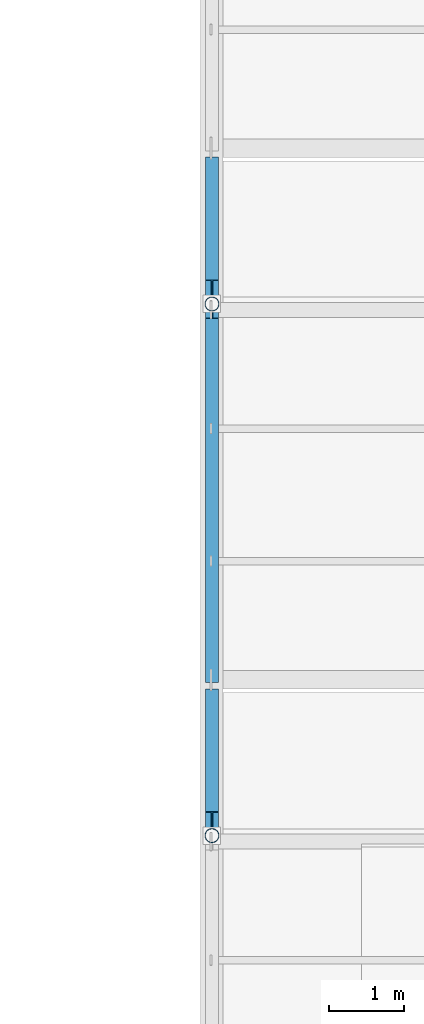
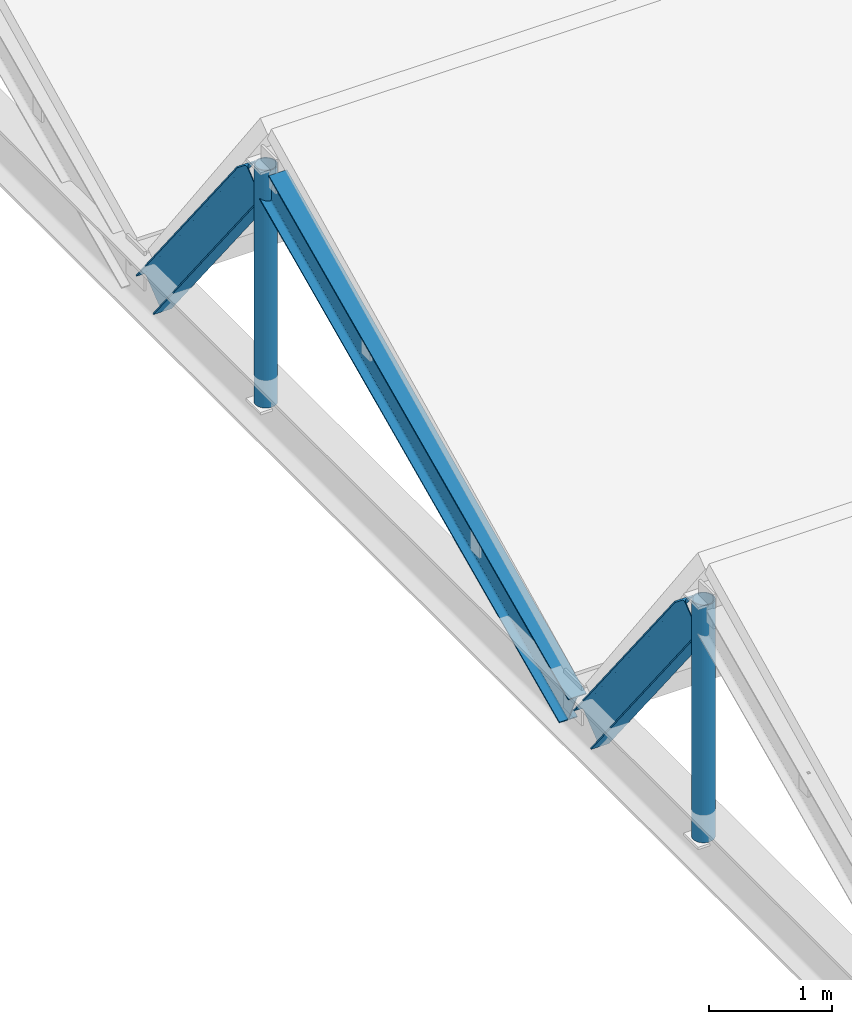
# One storey, part 70 of 138: 3 beams, 2 members.
"""IFC4 building model written with IfcOpenShell, lengths in metres."""

from ifc_helpers import new_model, si_unit, direction, frame, origin, origin_2d, place, context, subcontext, project, spatial, hollow_circle, i_section, extrude, material, material_profile, profile_set, type_object, element, save


model = new_model("IFC4")

# Units and contexts
model_context = context("Model", 3, precision=1e-05, world=origin(), true_north=direction((0.0, 1.0)))
body_context = subcontext(model_context, "Body", "Model", "MODEL_VIEW")
ifc_project = project(units=[si_unit("LENGTHUNIT", "METRE"), si_unit("AREAUNIT", "SQUARE_METRE"), si_unit("VOLUMEUNIT", "CUBIC_METRE"), si_unit("PLANEANGLEUNIT", "RADIAN"), si_unit("MASSUNIT", "GRAM", prefix="KILO")], contexts=[model_context])

# Site, building, storey
site_placement = place(None, origin())
site = spatial("IfcSite", under=ifc_project, at=site_placement, CompositionType="ELEMENT")
building_placement = place(site_placement, origin())
building = spatial("IfcBuilding", under=site, at=building_placement, Name="Vinh Khe Railworks Police Headquarters", CompositionType="ELEMENT")
storey_placement = place(building_placement, frame((0.0, 0.0, 9.0)))
storey = spatial("IfcBuildingStorey", under=building, at=storey_placement, Name="L02", CompositionType="ELEMENT", Elevation=9.0)

# Members
ifc_material = material(Name="Steel S355JR", Category="steel")
ifc_material_profile_1 = material_profile(ifc_material, hollow_circle(Radius=0.096923828125, WallThickness=0.010009765625, at=origin_2d()), Name="CHS 193.7x10")
ifc_profile_set_1 = profile_set([ifc_material_profile_1], Name="Steel S355JR")
member_type = type_object("IfcMemberType", Name="Roof Strut CHS 193.7x10", PredefinedType="STRUT", material=ifc_profile_set_1)
for number, where, z_axis, x_axis, name in (
    (1, (26.39990234375, 143.10009765625, 0.199951171875), (0.0, 0.0, 1.0), (1.0, 0.0, 0.0), "Sawtooth Ridge Post 1"),
    (2, (26.39990234375, 150.199951171875, 0.199951171875), (0.0, 0.0, 1.0), (1.0, 0.0, 0.0), "Sawtooth Ridge Post 2"),
):
    element("IfcMember", number, at=place(storey_placement, frame(where, z_axis=z_axis, x_axis=x_axis)), inside=storey, type_object=member_type, Name=name, PredefinedType="STRUT", context=body_context, shape_type="SweptSolid", body=[
        extrude(hollow_circle(Radius=0.096923828125, WallThickness=0.010009765625, at=origin_2d()), origin(), (0.0, 0.0, 1.0), 2.35009765625),
    ])

# Beams
ifc_material_profile_2 = material_profile(ifc_material, i_section(OverallWidth=0.169921875, OverallDepth=0.360107421875, WebThickness=0.008056640625, FlangeThickness=0.0126953125, FilletRadius=0.01806640625, at=origin_2d()), Name="IPE 360")
ifc_profile_set_2 = profile_set([ifc_material_profile_2], Name="Steel S355JR")
beam_type = type_object("IfcBeamType", Name="Steel Girder IPE 360", PredefinedType="BEAM", material=ifc_profile_set_2)
beam_1_placement = place(storey_placement, frame((26.39990234375, 143.280029296875, 2.25), z_axis=(0.0, 0.620956273736, -0.78384520545), x_axis=(-1.0, 0.0, 0.0)))
element("IfcBeam", 3, at=beam_1_placement, inside=storey, type_object=beam_type, Name="Sawtooth Clerestory Girder 1N", PredefinedType="BEAM", context=body_context, shape_type="SweptSolid", body=[
    extrude(i_section(OverallWidth=0.169921875, OverallDepth=0.360107421875, WebThickness=0.008056640625, FlangeThickness=0.0126953125, FilletRadius=0.01806640625, at=origin_2d()), origin(), (0.0, 0.0, 1.0), 2.640869140625),
])
beam_2_placement = place(storey_placement, frame((26.39990234375, 145.219970703125, 0.179931640625), z_axis=(0.0, 0.90818224373, 0.418574977959), x_axis=(-1.0, 0.0, 0.0)))
element("IfcBeam", 4, at=beam_2_placement, inside=storey, type_object=beam_type, Name="Sawtooth Slope Girder 2S", PredefinedType="BEAM", context=body_context, shape_type="SweptSolid", body=[
    extrude(i_section(OverallWidth=0.169921875, OverallDepth=0.360107421875, WebThickness=0.008056640625, FlangeThickness=0.0126953125, FilletRadius=0.01806640625, at=origin_2d()), origin(), (0.0, 0.0, 1.0), 5.3515625),
])
beam_3_placement = place(storey_placement, frame((26.39990234375, 150.3798828125, 2.25), z_axis=(0.0, 0.621013068577, -0.783800209656), x_axis=(-1.0, 0.0, 0.0)))
element("IfcBeam", 5, at=beam_3_placement, inside=storey, type_object=beam_type, Name="Sawtooth Clerestory Girder 2N", PredefinedType="BEAM", context=body_context, shape_type="SweptSolid", body=[
    extrude(i_section(OverallWidth=0.169921875, OverallDepth=0.360107421875, WebThickness=0.008056640625, FlangeThickness=0.0126953125, FilletRadius=0.01806640625, at=origin_2d()), origin(), (0.0, 0.0, 1.0), 2.64111328125),
])

save(model, "model.ifc")
